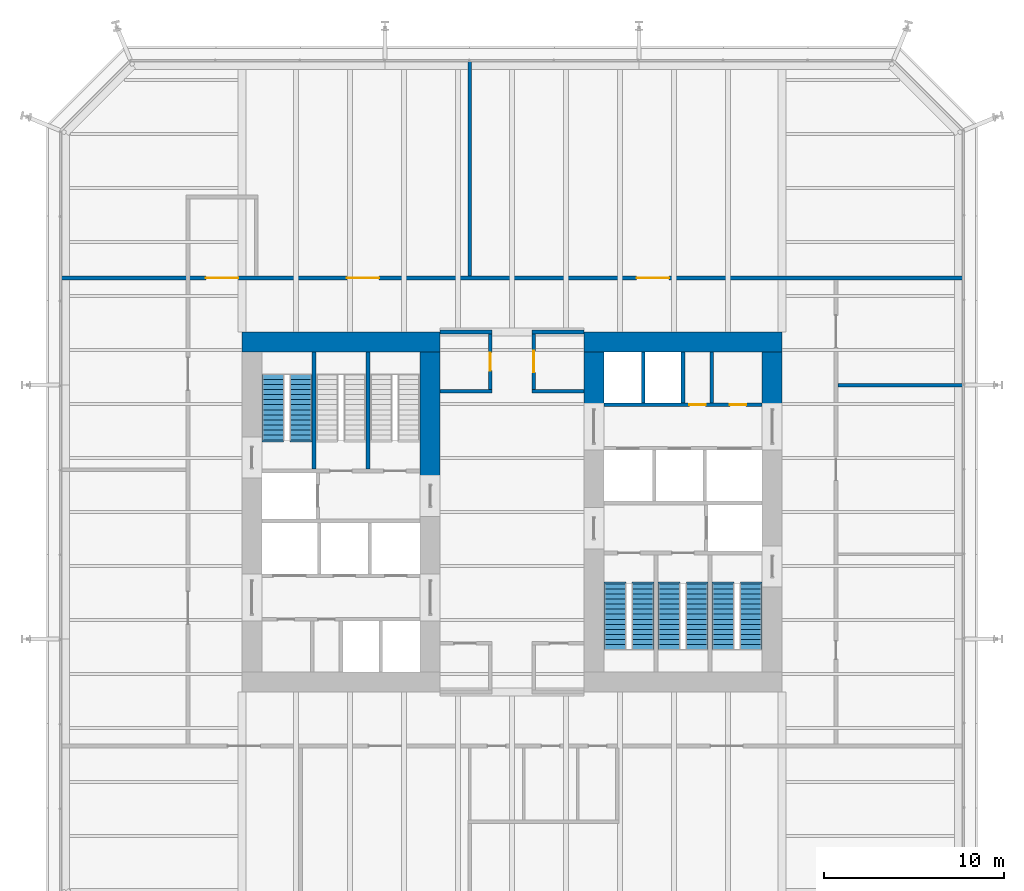
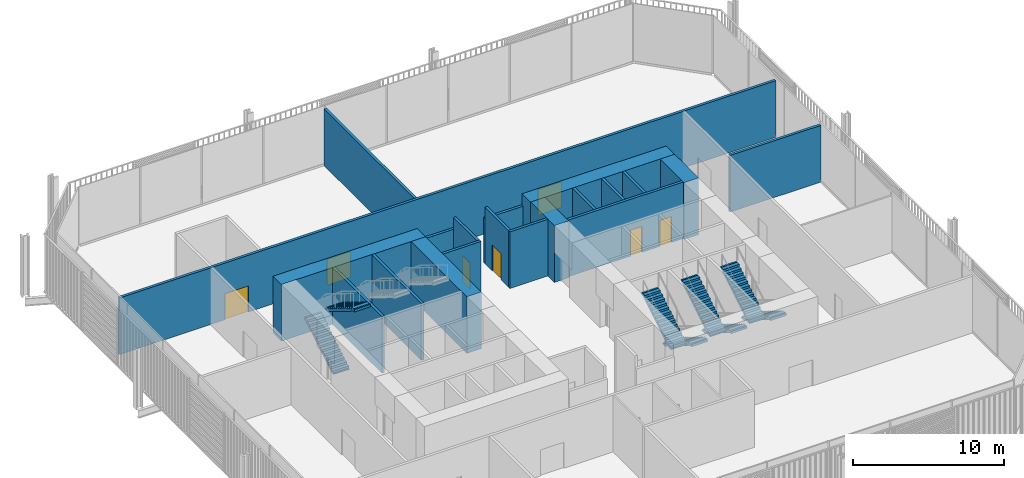
# One storey, part 20 of 22: 20 walls, 8 stair flights, 7 doors, 7 openings, 4 elements without a shape of their own.
"""IFC4 building model written with IfcOpenShell, lengths in metres."""

from ifc_helpers import new_model, si_unit, direction, frame, frame_2d, origin, place, context, subcontext, project, spatial, polyline, rectangle, outline, extrude, material, layer, layer_set, type_object, element, fill, aggregate, save


model = new_model("IFC4")

# Units and contexts
model_context = context("Model", 3, precision=1e-05, world=origin(), true_north=direction((0.0, 1.0)))
body_context = subcontext(model_context, "Body", "Model", "MODEL_VIEW")
ifc_project = project(units=[si_unit("LENGTHUNIT", "METRE"), si_unit("AREAUNIT", "SQUARE_METRE"), si_unit("VOLUMEUNIT", "CUBIC_METRE"), si_unit("PLANEANGLEUNIT", "RADIAN"), si_unit("MASSUNIT", "GRAM", prefix="KILO")], contexts=[model_context])

# Site, building, storey
site_placement = place(None, origin())
site = spatial("IfcSite", under=ifc_project, at=site_placement, CompositionType="ELEMENT")
building_placement = place(site_placement, origin())
building = spatial("IfcBuilding", under=site, at=building_placement, Name="Millrace Tower", CompositionType="ELEMENT")
storey_placement = place(building_placement, frame((0.0, 0.0, 25.699951171875)))
storey = spatial("IfcBuildingStorey", under=building, at=storey_placement, Name="L06", CompositionType="ELEMENT", Elevation=25.699951171875)

# Walls
ifc_material_1 = material(Name="Concrete C80", Category="concrete")
ifc_layer_1 = layer(ifc_material_1, 1.10009765625)
ifc_layer_set_1 = layer_set([ifc_layer_1], Name="Concrete C80")
wall_type_1 = type_object("IfcWallType", Name="Core wall 1100 Concrete C80", PredefinedType="SHEAR", material=ifc_layer_set_1)
wall_1_placement = place(storey_placement, frame((-15.0, 9.449951171875, 0.0), z_axis=(0.0, 0.0, 1.0), x_axis=(1.0, 0.0, 0.0)))
element("IfcWall", 1, at=wall_1_placement, inside=storey, type_object=wall_type_1, Name="Core wall W L06", PredefinedType="SHEAR", context=body_context, shape_type="SweptSolid", body=[
    extrude(rectangle(XDim=11.0, YDim=1.10009765625, at=frame_2d((5.5, 0.0))), origin(), (0.0, 0.0, 1.0), 4.574951171875),
])
wall_2_placement = place(storey_placement, frame((-4.550048828125, 1.550048828125, 0.0), z_axis=(0.0, 0.0, 1.0), x_axis=(0.0, 1.0, 0.0)))
element("IfcWall", 2, at=wall_2_placement, inside=storey, type_object=wall_type_1, Name="Core wall W L06", PredefinedType="SHEAR", context=body_context, shape_type="SweptSolid", body=[
    extrude(rectangle(XDim=7.349853515625, YDim=1.10009765625, at=frame_2d((3.6748046875, 0.0))), origin(), (0.0, 0.0, 1.0), 4.574951171875),
])
wall_3_placement = place(storey_placement, frame((15.0, 9.449951171875, 0.0), z_axis=(0.0, 0.0, 1.0), x_axis=(-1.0, 0.0, 0.0)))
element("IfcWall", 3, at=wall_3_placement, inside=storey, type_object=wall_type_1, Name="Core wall E L06", PredefinedType="SHEAR", context=body_context, shape_type="SweptSolid", body=[
    extrude(rectangle(XDim=11.0, YDim=1.10009765625, at=frame_2d((5.5, 0.0))), origin(), (0.0, 0.0, 1.0), 4.574951171875),
])
for number, where, z_axis, x_axis, name in (
    (4, (14.449951171875, 8.89990234375, 0.0), (0.0, 0.0, 1.0), (0.0, -1.0, 0.0), "Core wall E L06"),
    (5, (4.550048828125, 8.89990234375, 0.0), (0.0, 0.0, 1.0), (0.0, -1.0, 0.0), "Core wall E L06"),
):
    element("IfcWall", number, at=place(storey_placement, frame(where, z_axis=z_axis, x_axis=x_axis)), inside=storey, type_object=wall_type_1, Name=name, PredefinedType="SHEAR", context=body_context, shape_type="SweptSolid", body=[
        extrude(rectangle(XDim=3.14990234375, YDim=1.10009765625, at=frame_2d((1.574951171875, 0.0))), origin(), (0.0, 0.0, 1.0), 4.574951171875),
    ])
ifc_material_2 = material(Name="Masonry partition, fire-rated", Category="masonry")
ifc_layer_2 = layer(ifc_material_2, 0.199951171875)
ifc_layer_set_2 = layer_set([ifc_layer_2], Name="Masonry partition, fire-rated")
wall_type_2 = type_object("IfcWallType", Name="Corridor wall 200", PredefinedType="PARTITIONING", material=ifc_layer_set_2)
for number, where, z_axis, x_axis, name in (
    (6, (-4.0, 6.699951171875, 0.0), (0.0, 0.0, 1.0), (1.0, 0.0, 0.0), "Corridor wall L06"),
    (7, (1.10009765625, 6.699951171875, 0.0), (0.0, 0.0, 1.0), (1.0, 0.0, 0.0), "Corridor wall L06"),
):
    element("IfcWall", number, at=place(storey_placement, frame(where, z_axis=z_axis, x_axis=x_axis)), inside=storey, type_object=wall_type_2, Name=name, PredefinedType="PARTITIONING", context=body_context, shape_type="SweptSolid", body=[
        extrude(rectangle(XDim=2.89990234375, YDim=0.199951171875, at=frame_2d((1.449951171875, 0.0))), origin(), (0.0, 0.0, 1.0), 4.574951171875),
    ])
wall_4_placement = place(storey_placement, frame((18.10009765625, 7.050048828125, 0.0), z_axis=(0.0, 0.0, 1.0), x_axis=(1.0, 0.0, 0.0)))
element("IfcWall", 8, at=wall_4_placement, inside=storey, type_object=wall_type_2, Name="Corridor wall L06", PredefinedType="PARTITIONING", context=body_context, shape_type="SweptSolid", body=[
    extrude(rectangle(XDim=6.929931640625, YDim=0.199951171875, at=frame_2d((3.46484375, 0.0))), origin(), (0.0, 0.0, 1.0), 4.574951171875),
])
for number, where, z_axis, x_axis, name in (
    (9, (-4.0, 10.0, 0.0), (0.0, 0.0, 1.0), (1.0, 0.0, 0.0), "Corridor wall L06"),
    (10, (1.10009765625, 10.0, 0.0), (0.0, 0.0, 1.0), (1.0, 0.0, 0.0), "Corridor wall L06"),
):
    element("IfcWall", number, at=place(storey_placement, frame(where, z_axis=z_axis, x_axis=x_axis)), inside=storey, type_object=wall_type_2, Name=name, PredefinedType="PARTITIONING", context=body_context, shape_type="SweptSolid", body=[
        extrude(rectangle(XDim=2.89990234375, YDim=0.199951171875, at=frame_2d((1.449951171875, 0.0))), origin(), (0.0, 0.0, 1.0), 3.627685546875),
    ])

# Wall, openings, doors
wall_5_placement = place(storey_placement, frame((-25.030029296875, 13.0, 0.0), z_axis=(0.0, 0.0, 1.0), x_axis=(1.0, 0.0, 0.0)))
wall_5 = element("IfcWall", 11, at=wall_5_placement, inside=storey, type_object=wall_type_2, Name="Corridor wall L06", PredefinedType="PARTITIONING", context=body_context, shape_type="SweptSolid", body=[
    extrude(rectangle(XDim=50.06005859375, YDim=0.199951171875, at=frame_2d((25.030029296875, 0.0))), origin(), (0.0, 0.0, 1.0), 4.574951171875),
])
opening_1_placement = place(wall_5_placement, frame((15.85498046875, 0.0, 0.0)))
opening_1 = element("IfcOpeningElement", 12, at=opening_1_placement, cuts=wall_5, Name="Opening 06-P011", PredefinedType="OPENING", context=body_context, shape_type="SweptSolid", body=[
    extrude(rectangle(XDim=1.800048828125, YDim=2.10009765625, at=frame_2d((0.89990234375, 1.050048828125))), frame((0.0, 0.10986328125, 0.0), z_axis=(0.0, -1.0, 0.0), x_axis=(1.0, 0.0, 0.0)), (0.0, 0.0, 1.0), 0.219970703125),
])
opening_2_placement = place(wall_5_placement, frame((8.030029296875, 0.0, 0.0)))
opening_2 = element("IfcOpeningElement", 13, at=opening_2_placement, cuts=wall_5, Name="Opening 06-P012", PredefinedType="OPENING", context=body_context, shape_type="SweptSolid", body=[
    extrude(rectangle(XDim=1.800048828125, YDim=2.10009765625, at=frame_2d((0.89990234375, 1.050048828125))), frame((0.0, 0.10986328125, 0.0), z_axis=(0.0, -1.0, 0.0), x_axis=(1.0, 0.0, 0.0)), (0.0, 0.0, 1.0), 0.219970703125),
])
opening_3_placement = place(wall_5_placement, frame((31.9599609375, 0.0, 0.0)))
opening_3 = element("IfcOpeningElement", 14, at=opening_3_placement, cuts=wall_5, Name="Opening 06-P013", PredefinedType="OPENING", context=body_context, shape_type="SweptSolid", body=[
    extrude(rectangle(XDim=1.800048828125, YDim=2.10009765625, at=frame_2d((0.89990234375, 1.050048828125))), frame((0.0, 0.10986328125, 0.0), z_axis=(0.0, -1.0, 0.0), x_axis=(1.0, 0.0, 0.0)), (0.0, 0.0, 1.0), 0.219970703125),
])
ifc_material_3 = material(Name="Steel door set, fire-rated", Category="steel")
door_type_1 = type_object("IfcDoorType", Name="Data hall door 1800 x 2100", OperationType="DOUBLE_DOOR_SINGLE_SWING", PredefinedType="DOOR", material=ifc_material_3)
door_1_placement = place(opening_1_placement, origin())
door_1 = element("IfcDoor", 15, at=door_1_placement, inside=storey, type_object=door_type_1, Name="Door 06-P011", OperationType="DOUBLE_DOOR_SINGLE_SWING", OverallHeight=2.10009765625, OverallWidth=1.800048828125, PredefinedType="DOOR", context=body_context, shape_type="SweptSolid", body=[
    extrude(rectangle(XDim=1.800048828125, YDim=2.10009765625, at=frame_2d((0.89990234375, 1.050048828125))), frame((0.0, 0.02490234375, 0.0), z_axis=(0.0, -1.0, 0.0), x_axis=(1.0, 0.0, 0.0)), (0.0, 0.0, 1.0), 0.050048828125),
])
fill(opening_1, door_1)
door_2_placement = place(opening_2_placement, origin())
door_2 = element("IfcDoor", 16, at=door_2_placement, inside=storey, type_object=door_type_1, Name="Door 06-P012", OperationType="DOUBLE_DOOR_SINGLE_SWING", OverallHeight=2.10009765625, OverallWidth=1.800048828125, PredefinedType="DOOR", context=body_context, shape_type="SweptSolid", body=[
    extrude(rectangle(XDim=1.800048828125, YDim=2.10009765625, at=frame_2d((0.89990234375, 1.050048828125))), frame((0.0, 0.02490234375, 0.0), z_axis=(0.0, -1.0, 0.0), x_axis=(1.0, 0.0, 0.0)), (0.0, 0.0, 1.0), 0.050048828125),
])
fill(opening_2, door_2)
door_3_placement = place(opening_3_placement, origin())
door_3 = element("IfcDoor", 17, at=door_3_placement, inside=storey, type_object=door_type_1, Name="Door 06-P013", OperationType="DOUBLE_DOOR_SINGLE_SWING", OverallHeight=2.10009765625, OverallWidth=1.800048828125, PredefinedType="DOOR", context=body_context, shape_type="SweptSolid", body=[
    extrude(rectangle(XDim=1.800048828125, YDim=2.10009765625, at=frame_2d((0.89990234375, 1.050048828125))), frame((0.0, 0.02490234375, 0.0), z_axis=(0.0, -1.0, 0.0), x_axis=(1.0, 0.0, 0.0)), (0.0, 0.0, 1.0), 0.050048828125),
])
fill(opening_3, door_3)

# Wall, opening, door
wall_6_placement = place(storey_placement, frame((1.199951171875, 6.800048828125, 0.0), z_axis=(0.0, 0.0, 1.0), x_axis=(0.0, 1.0, 0.0)))
wall_6 = element("IfcWall", 18, at=wall_6_placement, inside=storey, type_object=wall_type_2, Name="Corridor wall L06", PredefinedType="PARTITIONING", context=body_context, shape_type="SweptSolid", body=[
    extrude(rectangle(XDim=3.099853515625, YDim=0.199951171875, at=frame_2d((1.5498046875, 0.0))), origin(), (0.0, 0.0, 1.0), 4.574951171875),
])
opening_4_placement = place(wall_6_placement, frame((0.949951171875, 0.0, 0.0)))
opening_4 = element("IfcOpeningElement", 19, at=opening_4_placement, cuts=wall_6, Name="Opening 06-P002", PredefinedType="OPENING", context=body_context, shape_type="SweptSolid", body=[
    extrude(rectangle(XDim=1.199951171875, YDim=2.10009765625, at=frame_2d((0.60009765625, 1.050048828125))), frame((0.0, 0.10986328125, 0.0), z_axis=(0.0, -1.0, 0.0), x_axis=(1.0, 0.0, 0.0)), (0.0, 0.0, 1.0), 0.219970703125),
])
ifc_material_4 = material(Name="Steel door set, fire-rated", Category="steel")
door_type_2 = type_object("IfcDoorType", Name="Corridor door 1200 x 2100", OperationType="SINGLE_SWING_LEFT", PredefinedType="DOOR", material=ifc_material_4)
door_4_placement = place(opening_4_placement, frame((1.199951171875, 0.0, 0.0), z_axis=(0.0, 0.0, 1.0), x_axis=(-1.0, 0.0, 0.0)))
door_4 = element("IfcDoor", 20, at=door_4_placement, inside=storey, type_object=door_type_2, Name="Door 06-P002", OperationType="SINGLE_SWING_RIGHT", OverallHeight=2.10009765625, OverallWidth=1.199951171875, PredefinedType="DOOR", context=body_context, shape_type="SweptSolid", body=[
    extrude(rectangle(XDim=1.199951171875, YDim=2.10009765625, at=frame_2d((0.60009765625, 1.050048828125))), frame((0.0, 0.02490234375, 0.0), z_axis=(0.0, -1.0, 0.0), x_axis=(1.0, 0.0, 0.0)), (0.0, 0.0, 1.0), 0.050048828125),
])
fill(opening_4, door_4)

wall_7_placement = place(storey_placement, frame((-1.199951171875, 6.800048828125, 0.0), z_axis=(0.0, 0.0, 1.0), x_axis=(0.0, 1.0, 0.0)))
wall_7 = element("IfcWall", 21, at=wall_7_placement, inside=storey, type_object=wall_type_2, Name="Corridor wall L06", PredefinedType="PARTITIONING", context=body_context, shape_type="SweptSolid", body=[
    extrude(rectangle(XDim=3.099853515625, YDim=0.199951171875, at=frame_2d((1.5498046875, 0.0))), origin(), (0.0, 0.0, 1.0), 4.574951171875),
])
opening_5_placement = place(wall_7_placement, frame((1.050048828125, 0.0, 0.0)))
opening_5 = element("IfcOpeningElement", 22, at=opening_5_placement, cuts=wall_7, Name="Opening 06-P001", PredefinedType="OPENING", context=body_context, shape_type="SweptSolid", body=[
    extrude(rectangle(XDim=1.0, YDim=2.10009765625, at=frame_2d((0.5, 1.050048828125))), frame((0.0, 0.10986328125, 0.0), z_axis=(0.0, -1.0, 0.0), x_axis=(1.0, 0.0, 0.0)), (0.0, 0.0, 1.0), 0.219970703125),
])
ifc_material_5 = material(Name="Steel door set, fire-rated", Category="steel")
door_type_3 = type_object("IfcDoorType", Name="Corridor door 1000 x 2100", OperationType="SINGLE_SWING_LEFT", PredefinedType="DOOR", material=ifc_material_5)
door_5_placement = place(opening_5_placement, origin())
door_5 = element("IfcDoor", 23, at=door_5_placement, inside=storey, type_object=door_type_3, Name="Door 06-P001", OperationType="SINGLE_SWING_LEFT", OverallHeight=2.10009765625, OverallWidth=1.0, PredefinedType="DOOR", context=body_context, shape_type="SweptSolid", body=[
    extrude(rectangle(XDim=1.0, YDim=2.10009765625, at=frame_2d((0.5, 1.050048828125))), frame((0.0, 0.02490234375, 0.0), z_axis=(0.0, -1.0, 0.0), x_axis=(1.0, 0.0, 0.0)), (0.0, 0.0, 1.0), 0.050048828125),
])
fill(opening_5, door_5)

# Wall
wall_8_placement = place(storey_placement, frame((-2.35009765625, 13.10009765625, 0.0), z_axis=(0.0, 0.0, 1.0), x_axis=(0.0, 1.0, 0.0)))
element("IfcWall", 24, at=wall_8_placement, inside=storey, type_object=wall_type_2, Name="Corridor wall L06", PredefinedType="PARTITIONING", context=body_context, shape_type="SweptSolid", body=[
    extrude(rectangle(XDim=11.929931640625, YDim=0.199951171875, at=frame_2d((5.96484375, 0.0))), origin(), (0.0, 0.0, 1.0), 4.574951171875),
])

# Wall, openings, doors
ifc_material_6 = material(Name="Masonry partition, fire-rated", Category="masonry")
ifc_layer_3 = layer(ifc_material_6, 0.199951171875)
ifc_layer_set_3 = layer_set([ifc_layer_3], Name="Masonry partition, fire-rated")
wall_type_3 = type_object("IfcWallType", Name="Lift shaft wall 200", PredefinedType="PARTITIONING", material=ifc_layer_set_3)
wall_9_placement = place(storey_placement, frame((13.89990234375, 5.949951171875, 0.0), z_axis=(0.0, 0.0, 1.0), x_axis=(-1.0, 0.0, 0.0)))
wall_9 = element("IfcWall", 25, at=wall_9_placement, inside=storey, type_object=wall_type_3, Name="Lift shaft wall E L06", PredefinedType="PARTITIONING", context=body_context, shape_type="SweptSolid", body=[
    extrude(rectangle(XDim=8.7998046875, YDim=0.199951171875, at=frame_2d((4.39990234375, 0.0))), origin(), (0.0, 0.0, 1.0), 4.574951171875),
])
opening_6_placement = place(wall_9_placement, frame((0.8974609375, 0.0, 0.0)))
opening_6 = element("IfcOpeningElement", 26, at=opening_6_placement, cuts=wall_9, Name="Opening 06-C013", PredefinedType="OPENING", context=body_context, shape_type="SweptSolid", body=[
    extrude(rectangle(XDim=0.89990234375, YDim=2.10009765625, at=frame_2d((0.449951171875, 1.050048828125))), frame((0.0, 0.10986328125, 0.0), z_axis=(0.0, -1.0, 0.0), x_axis=(1.0, 0.0, 0.0)), (0.0, 0.0, 1.0), 0.219970703125),
])
opening_7_placement = place(wall_9_placement, frame((3.1474609375, 0.0, 0.0)))
opening_7 = element("IfcOpeningElement", 27, at=opening_7_placement, cuts=wall_9, Name="Opening 06-C014", PredefinedType="OPENING", context=body_context, shape_type="SweptSolid", body=[
    extrude(rectangle(XDim=0.89990234375, YDim=2.10009765625, at=frame_2d((0.449951171875, 1.050048828125))), frame((0.0, 0.10986328125, 0.0), z_axis=(0.0, -1.0, 0.0), x_axis=(1.0, 0.0, 0.0)), (0.0, 0.0, 1.0), 0.219970703125),
])
ifc_material_7 = material(Name="Steel door, fire-rated", Category="steel")
door_type_4 = type_object("IfcDoorType", Name="Service room door 900 x 2100", OperationType="SINGLE_SWING_LEFT", PredefinedType="DOOR", material=ifc_material_7)
door_6_placement = place(opening_6_placement, frame((0.89990234375, 0.0, 0.0), z_axis=(0.0, 0.0, 1.0), x_axis=(-1.0, 0.0, 0.0)))
door_6 = element("IfcDoor", 28, at=door_6_placement, inside=storey, type_object=door_type_4, Name="Service room door 06-C013", OperationType="SINGLE_SWING_RIGHT", OverallHeight=2.10009765625, OverallWidth=0.89990234375, PredefinedType="DOOR", context=body_context, shape_type="SweptSolid", body=[
    extrude(rectangle(XDim=0.89990234375, YDim=2.10009765625, at=frame_2d((0.449951171875, 1.050048828125))), frame((0.0, 0.02490234375, 0.0), z_axis=(0.0, -1.0, 0.0), x_axis=(1.0, 0.0, 0.0)), (0.0, 0.0, 1.0), 0.050048828125),
])
fill(opening_6, door_6)
door_7_placement = place(opening_7_placement, frame((0.89990234375, 0.0, 0.0), z_axis=(0.0, 0.0, 1.0), x_axis=(-1.0, 0.0, 0.0)))
door_7 = element("IfcDoor", 29, at=door_7_placement, inside=storey, type_object=door_type_4, Name="Service room door 06-C014", OperationType="SINGLE_SWING_RIGHT", OverallHeight=2.10009765625, OverallWidth=0.89990234375, PredefinedType="DOOR", context=body_context, shape_type="SweptSolid", body=[
    extrude(rectangle(XDim=0.89990234375, YDim=2.10009765625, at=frame_2d((0.449951171875, 1.050048828125))), frame((0.0, 0.02490234375, 0.0), z_axis=(0.0, -1.0, 0.0), x_axis=(1.0, 0.0, 0.0)), (0.0, 0.0, 1.0), 0.050048828125),
])
fill(opening_7, door_7)

# Walls
for number, where, z_axis, x_axis, name in (
    (30, (9.5, 8.89990234375, 0.0), (0.0, 0.0, 1.0), (0.0, -1.0, 0.0), "Lift shaft wall E L06"),
    (31, (7.300048828125, 8.89990234375, 0.0), (0.0, 0.0, 1.0), (0.0, -1.0, 0.0), "Lift shaft wall E L06"),
):
    element("IfcWall", number, at=place(storey_placement, frame(where, z_axis=z_axis, x_axis=x_axis)), inside=storey, type_object=wall_type_3, Name=name, PredefinedType="PARTITIONING", context=body_context, shape_type="SweptSolid", body=[
        extrude(rectangle(XDim=2.849853515625, YDim=0.199951171875, at=frame_2d((1.4248046875, 0.0))), origin(), (0.0, 0.0, 1.0), 4.574951171875),
    ])
ifc_material_8 = material(Name="Masonry partition, fire-rated", Category="masonry")
ifc_layer_4 = layer(ifc_material_8, 0.199951171875)
ifc_layer_set_4 = layer_set([ifc_layer_4], Name="Masonry partition, fire-rated")
wall_type_4 = type_object("IfcWallType", Name="Room partition 200", PredefinedType="PARTITIONING", material=ifc_layer_set_4)
wall_10_placement = place(storey_placement, frame((11.10498046875, 8.89990234375, 0.0), z_axis=(0.0, 0.0, 1.0), x_axis=(0.0, -1.0, 0.0)))
element("IfcWall", 32, at=wall_10_placement, inside=storey, type_object=wall_type_4, Name="Room partition E L06", PredefinedType="PARTITIONING", context=body_context, shape_type="SweptSolid", body=[
    extrude(rectangle(XDim=2.849853515625, YDim=0.199951171875, at=frame_2d((1.4248046875, 0.0))), origin(), (0.0, 0.0, 1.0), 4.574951171875),
])
ifc_material_9 = material(Name="Concrete C40", Category="concrete")
ifc_layer_5 = layer(ifc_material_9, 0.199951171875)
ifc_layer_set_5 = layer_set([ifc_layer_5], Name="Concrete C40")
wall_type_5 = type_object("IfcWallType", Name="Stair enclosure wall 200 Concrete C40", PredefinedType="SHEAR", material=ifc_layer_set_5)
for number, where, z_axis, x_axis, name in (
    (33, (-11.0, 2.3798828125, 0.0), (0.0, 0.0, 1.0), (0.0, 1.0, 0.0), "Stair enclosure wall W L06"),
    (34, (-8.0, 2.3798828125, 0.0), (0.0, 0.0, 1.0), (0.0, 1.0, 0.0), "Stair enclosure wall W L06"),
):
    element("IfcWall", number, at=place(storey_placement, frame(where, z_axis=z_axis, x_axis=x_axis)), inside=storey, type_object=wall_type_5, Name=name, PredefinedType="SHEAR", context=body_context, shape_type="SweptSolid", body=[
        extrude(rectangle(XDim=6.52001953125, YDim=0.199951171875, at=frame_2d((3.260009765625, 0.0))), origin(), (0.0, 0.0, 1.0), 4.574951171875),
    ])

# Stair, stair flights
ifc_material_10 = material(Name="Concrete C35", Category="concrete")
stair_type = type_object("IfcStairType", Name="Exit stair", PredefinedType="HALF_TURN_STAIR", material=ifc_material_10)
placement = place(storey_placement, origin())
stair_1 = element("IfcStair", 35, at=placement, inside=storey, type_object=stair_type, Name="Stair 1 W L06", PredefinedType="HALF_TURN_STAIR")
ifc_material_11 = material(Name="Concrete C35", Category="concrete")
stair_flight_type = type_object("IfcStairFlightType", Name="Exit stair flight", PredefinedType="STRAIGHT", material=ifc_material_11)
stair_flight_1_placement = place(storey_placement, frame((-13.2900390625, 4.0, 0.0), z_axis=(0.0, 0.0, 1.0), x_axis=(0.0, 1.0, 0.0)))
stair_flight_1 = element("IfcStairFlight", 36, at=stair_flight_1_placement, type_object=stair_flight_type, Name="ST12 flight 1", NumberOfRisers=14, NumberOfTreads=13, PredefinedType="STRAIGHT", RiserHeight=0.171428571, TreadLength=0.28, context=body_context, shape_type="SweptSolid", body=[
    extrude(outline(polyline([(-0.1201171875, -0.0400390625), (-0.1201171875, 0.0), (0.0, 0.0), (0.0, 0.17138671875), (0.280029296875, 0.17138671875), (0.280029296875, 0.3427734375), (0.56005859375, 0.3427734375), (0.56005859375, 0.514404296875), (0.840087890625, 0.514404296875), (0.840087890625, 0.685791015625), (1.1201171875, 0.685791015625), (1.1201171875, 0.857177734375), (1.39990234375, 0.857177734375), (1.39990234375, 1.028564453125), (1.679931640625, 1.028564453125), (1.679931640625, 1.199951171875), (1.9599609375, 1.199951171875), (1.9599609375, 1.371337890625), (2.239990234375, 1.371337890625), (2.239990234375, 1.54296875), (2.52001953125, 1.54296875), (2.52001953125, 1.71435546875), (2.800048828125, 1.71435546875), (2.800048828125, 1.8857421875), (3.080078125, 1.8857421875), (3.080078125, 2.05712890625), (3.360107421875, 2.05712890625), (3.360107421875, 2.228515625), (3.639892578125, 2.228515625), (3.639892578125, 2.24853515625), (3.760009765625, 2.24853515625), (3.760009765625, 2.052734375), (3.639892578125, 2.052734375), (0.287109375, 0.0), (0.287109375, -0.0400390625), (-0.1201171875, -0.0400390625)])), frame((0.0, 0.60986328125, 0.0), z_axis=(0.0, -1.0, 0.0), x_axis=(1.0, 0.0, 0.0)), (0.0, 0.0, 1.0), 1.219970703125),
])
stair_flight_2_placement = place(storey_placement, frame((-11.7099609375, 7.639892578125, 2.400146484375), z_axis=(0.0, 0.0, 1.0), x_axis=(0.0, -1.0, 0.0)))
stair_flight_2 = element("IfcStairFlight", 37, at=stair_flight_2_placement, type_object=stair_flight_type, Name="ST12 flight 2", NumberOfRisers=14, NumberOfTreads=13, PredefinedType="STRAIGHT", RiserHeight=0.171428571, TreadLength=0.28, context=body_context, shape_type="SweptSolid", body=[
    extrude(outline(polyline([(-0.1201171875, -0.0400390625), (-0.1201171875, 0.0), (0.0, 0.0), (0.0, 0.17138671875), (0.280029296875, 0.17138671875), (0.280029296875, 0.3427734375), (0.56005859375, 0.3427734375), (0.56005859375, 0.514404296875), (0.840087890625, 0.514404296875), (0.840087890625, 0.685791015625), (1.1201171875, 0.685791015625), (1.1201171875, 0.857177734375), (1.39990234375, 0.857177734375), (1.39990234375, 1.028564453125), (1.679931640625, 1.028564453125), (1.679931640625, 1.199951171875), (1.9599609375, 1.199951171875), (1.9599609375, 1.371337890625), (2.239990234375, 1.371337890625), (2.239990234375, 1.54296875), (2.52001953125, 1.54296875), (2.52001953125, 1.71435546875), (2.800048828125, 1.71435546875), (2.800048828125, 1.8857421875), (3.080078125, 1.8857421875), (3.080078125, 2.05712890625), (3.360107421875, 2.05712890625), (3.360107421875, 2.228515625), (3.639892578125, 2.228515625), (3.639892578125, 2.24853515625), (3.760009765625, 2.24853515625), (3.760009765625, 2.052734375), (3.639892578125, 2.052734375), (0.287109375, 0.0), (0.287109375, -0.0400390625), (-0.1201171875, -0.0400390625)])), frame((0.0, 0.60986328125, 0.0), z_axis=(0.0, -1.0, 0.0), x_axis=(1.0, 0.0, 0.0)), (0.0, 0.0, 1.0), 1.219970703125),
])
aggregate(stair_1, [stair_flight_1, stair_flight_2])

stair_2 = element("IfcStair", 38, at=placement, inside=storey, type_object=stair_type, Name="Stair 1 E L06", PredefinedType="HALF_TURN_STAIR")
stair_flight_3_placement = place(storey_placement, frame((13.2900390625, -4.0, 0.0), z_axis=(0.0, 0.0, 1.0), x_axis=(0.0, -1.0, 0.0)))
stair_flight_3 = element("IfcStairFlight", 39, at=stair_flight_3_placement, type_object=stair_flight_type, Name="ST12 flight 1", NumberOfRisers=14, NumberOfTreads=13, PredefinedType="STRAIGHT", RiserHeight=0.171428571, TreadLength=0.28, context=body_context, shape_type="SweptSolid", body=[
    extrude(outline(polyline([(-0.1201171875, -0.0400390625), (-0.1201171875, 0.0), (0.0, 0.0), (0.0, 0.17138671875), (0.280029296875, 0.17138671875), (0.280029296875, 0.3427734375), (0.56005859375, 0.3427734375), (0.56005859375, 0.514404296875), (0.840087890625, 0.514404296875), (0.840087890625, 0.685791015625), (1.1201171875, 0.685791015625), (1.1201171875, 0.857177734375), (1.39990234375, 0.857177734375), (1.39990234375, 1.028564453125), (1.679931640625, 1.028564453125), (1.679931640625, 1.199951171875), (1.9599609375, 1.199951171875), (1.9599609375, 1.371337890625), (2.239990234375, 1.371337890625), (2.239990234375, 1.54296875), (2.52001953125, 1.54296875), (2.52001953125, 1.71435546875), (2.800048828125, 1.71435546875), (2.800048828125, 1.8857421875), (3.080078125, 1.8857421875), (3.080078125, 2.05712890625), (3.360107421875, 2.05712890625), (3.360107421875, 2.228515625), (3.639892578125, 2.228515625), (3.639892578125, 2.24853515625), (3.760009765625, 2.24853515625), (3.760009765625, 2.052734375), (3.639892578125, 2.052734375), (0.287109375, 0.0), (0.287109375, -0.0400390625), (-0.1201171875, -0.0400390625)])), frame((0.0, 0.60986328125, 0.0), z_axis=(0.0, -1.0, 0.0), x_axis=(1.0, 0.0, 0.0)), (0.0, 0.0, 1.0), 1.219970703125),
])
stair_flight_4_placement = place(storey_placement, frame((11.7099609375, -7.639892578125, 2.400146484375), z_axis=(0.0, 0.0, 1.0), x_axis=(0.0, 1.0, 0.0)))
stair_flight_4 = element("IfcStairFlight", 40, at=stair_flight_4_placement, type_object=stair_flight_type, Name="ST12 flight 2", NumberOfRisers=14, NumberOfTreads=13, PredefinedType="STRAIGHT", RiserHeight=0.171428571, TreadLength=0.28, context=body_context, shape_type="SweptSolid", body=[
    extrude(outline(polyline([(-0.1201171875, -0.0400390625), (-0.1201171875, 0.0), (0.0, 0.0), (0.0, 0.17138671875), (0.280029296875, 0.17138671875), (0.280029296875, 0.3427734375), (0.56005859375, 0.3427734375), (0.56005859375, 0.514404296875), (0.840087890625, 0.514404296875), (0.840087890625, 0.685791015625), (1.1201171875, 0.685791015625), (1.1201171875, 0.857177734375), (1.39990234375, 0.857177734375), (1.39990234375, 1.028564453125), (1.679931640625, 1.028564453125), (1.679931640625, 1.199951171875), (1.9599609375, 1.199951171875), (1.9599609375, 1.371337890625), (2.239990234375, 1.371337890625), (2.239990234375, 1.54296875), (2.52001953125, 1.54296875), (2.52001953125, 1.71435546875), (2.800048828125, 1.71435546875), (2.800048828125, 1.8857421875), (3.080078125, 1.8857421875), (3.080078125, 2.05712890625), (3.360107421875, 2.05712890625), (3.360107421875, 2.228515625), (3.639892578125, 2.228515625), (3.639892578125, 2.24853515625), (3.760009765625, 2.24853515625), (3.760009765625, 2.052734375), (3.639892578125, 2.052734375), (0.287109375, 0.0), (0.287109375, -0.0400390625), (-0.1201171875, -0.0400390625)])), frame((0.0, 0.60986328125, 0.0), z_axis=(0.0, -1.0, 0.0), x_axis=(1.0, 0.0, 0.0)), (0.0, 0.0, 1.0), 1.219970703125),
])
aggregate(stair_2, [stair_flight_3, stair_flight_4])

stair_3 = element("IfcStair", 41, at=placement, inside=storey, type_object=stair_type, Name="Stair 2 E L06", PredefinedType="HALF_TURN_STAIR")
stair_flight_5_placement = place(storey_placement, frame((10.2900390625, -4.0, 0.0), z_axis=(0.0, 0.0, 1.0), x_axis=(0.0, -1.0, 0.0)))
stair_flight_5 = element("IfcStairFlight", 42, at=stair_flight_5_placement, type_object=stair_flight_type, Name="ST12 flight 1", NumberOfRisers=14, NumberOfTreads=13, PredefinedType="STRAIGHT", RiserHeight=0.171428571, TreadLength=0.28, context=body_context, shape_type="SweptSolid", body=[
    extrude(outline(polyline([(-0.1201171875, -0.0400390625), (-0.1201171875, 0.0), (0.0, 0.0), (0.0, 0.17138671875), (0.280029296875, 0.17138671875), (0.280029296875, 0.3427734375), (0.56005859375, 0.3427734375), (0.56005859375, 0.514404296875), (0.840087890625, 0.514404296875), (0.840087890625, 0.685791015625), (1.1201171875, 0.685791015625), (1.1201171875, 0.857177734375), (1.39990234375, 0.857177734375), (1.39990234375, 1.028564453125), (1.679931640625, 1.028564453125), (1.679931640625, 1.199951171875), (1.9599609375, 1.199951171875), (1.9599609375, 1.371337890625), (2.239990234375, 1.371337890625), (2.239990234375, 1.54296875), (2.52001953125, 1.54296875), (2.52001953125, 1.71435546875), (2.800048828125, 1.71435546875), (2.800048828125, 1.8857421875), (3.080078125, 1.8857421875), (3.080078125, 2.05712890625), (3.360107421875, 2.05712890625), (3.360107421875, 2.228515625), (3.639892578125, 2.228515625), (3.639892578125, 2.24853515625), (3.760009765625, 2.24853515625), (3.760009765625, 2.052734375), (3.639892578125, 2.052734375), (0.287109375, 0.0), (0.287109375, -0.0400390625), (-0.1201171875, -0.0400390625)])), frame((0.0, 0.60986328125, 0.0), z_axis=(0.0, -1.0, 0.0), x_axis=(1.0, 0.0, 0.0)), (0.0, 0.0, 1.0), 1.219970703125),
])
stair_flight_6_placement = place(storey_placement, frame((8.7099609375, -7.639892578125, 2.400146484375), z_axis=(0.0, 0.0, 1.0), x_axis=(0.0, 1.0, 0.0)))
stair_flight_6 = element("IfcStairFlight", 43, at=stair_flight_6_placement, type_object=stair_flight_type, Name="ST12 flight 2", NumberOfRisers=14, NumberOfTreads=13, PredefinedType="STRAIGHT", RiserHeight=0.171428571, TreadLength=0.28, context=body_context, shape_type="SweptSolid", body=[
    extrude(outline(polyline([(-0.1201171875, -0.0400390625), (-0.1201171875, 0.0), (0.0, 0.0), (0.0, 0.17138671875), (0.280029296875, 0.17138671875), (0.280029296875, 0.3427734375), (0.56005859375, 0.3427734375), (0.56005859375, 0.514404296875), (0.840087890625, 0.514404296875), (0.840087890625, 0.685791015625), (1.1201171875, 0.685791015625), (1.1201171875, 0.857177734375), (1.39990234375, 0.857177734375), (1.39990234375, 1.028564453125), (1.679931640625, 1.028564453125), (1.679931640625, 1.199951171875), (1.9599609375, 1.199951171875), (1.9599609375, 1.371337890625), (2.239990234375, 1.371337890625), (2.239990234375, 1.54296875), (2.52001953125, 1.54296875), (2.52001953125, 1.71435546875), (2.800048828125, 1.71435546875), (2.800048828125, 1.8857421875), (3.080078125, 1.8857421875), (3.080078125, 2.05712890625), (3.360107421875, 2.05712890625), (3.360107421875, 2.228515625), (3.639892578125, 2.228515625), (3.639892578125, 2.24853515625), (3.760009765625, 2.24853515625), (3.760009765625, 2.052734375), (3.639892578125, 2.052734375), (0.287109375, 0.0), (0.287109375, -0.0400390625), (-0.1201171875, -0.0400390625)])), frame((0.0, 0.60986328125, 0.0), z_axis=(0.0, -1.0, 0.0), x_axis=(1.0, 0.0, 0.0)), (0.0, 0.0, 1.0), 1.219970703125),
])
aggregate(stair_3, [stair_flight_5, stair_flight_6])

stair_4 = element("IfcStair", 44, at=placement, inside=storey, type_object=stair_type, Name="Stair 3 E L06", PredefinedType="HALF_TURN_STAIR")
stair_flight_7_placement = place(storey_placement, frame((7.2900390625, -4.0, 0.0), z_axis=(0.0, 0.0, 1.0), x_axis=(0.0, -1.0, 0.0)))
stair_flight_7 = element("IfcStairFlight", 45, at=stair_flight_7_placement, type_object=stair_flight_type, Name="ST12 flight 1", NumberOfRisers=14, NumberOfTreads=13, PredefinedType="STRAIGHT", RiserHeight=0.171428571, TreadLength=0.28, context=body_context, shape_type="SweptSolid", body=[
    extrude(outline(polyline([(-0.1201171875, -0.0400390625), (-0.1201171875, 0.0), (0.0, 0.0), (0.0, 0.17138671875), (0.280029296875, 0.17138671875), (0.280029296875, 0.3427734375), (0.56005859375, 0.3427734375), (0.56005859375, 0.514404296875), (0.840087890625, 0.514404296875), (0.840087890625, 0.685791015625), (1.1201171875, 0.685791015625), (1.1201171875, 0.857177734375), (1.39990234375, 0.857177734375), (1.39990234375, 1.028564453125), (1.679931640625, 1.028564453125), (1.679931640625, 1.199951171875), (1.9599609375, 1.199951171875), (1.9599609375, 1.371337890625), (2.239990234375, 1.371337890625), (2.239990234375, 1.54296875), (2.52001953125, 1.54296875), (2.52001953125, 1.71435546875), (2.800048828125, 1.71435546875), (2.800048828125, 1.8857421875), (3.080078125, 1.8857421875), (3.080078125, 2.05712890625), (3.360107421875, 2.05712890625), (3.360107421875, 2.228515625), (3.639892578125, 2.228515625), (3.639892578125, 2.24853515625), (3.760009765625, 2.24853515625), (3.760009765625, 2.052734375), (3.639892578125, 2.052734375), (0.287109375, 0.0), (0.287109375, -0.0400390625), (-0.1201171875, -0.0400390625)])), frame((0.0, 0.60986328125, 0.0), z_axis=(0.0, -1.0, 0.0), x_axis=(1.0, 0.0, 0.0)), (0.0, 0.0, 1.0), 1.219970703125),
])
stair_flight_8_placement = place(storey_placement, frame((5.7099609375, -7.639892578125, 2.400146484375), z_axis=(0.0, 0.0, 1.0), x_axis=(0.0, 1.0, 0.0)))
stair_flight_8 = element("IfcStairFlight", 46, at=stair_flight_8_placement, type_object=stair_flight_type, Name="ST12 flight 2", NumberOfRisers=14, NumberOfTreads=13, PredefinedType="STRAIGHT", RiserHeight=0.171428571, TreadLength=0.28, context=body_context, shape_type="SweptSolid", body=[
    extrude(outline(polyline([(-0.1201171875, -0.0400390625), (-0.1201171875, 0.0), (0.0, 0.0), (0.0, 0.17138671875), (0.280029296875, 0.17138671875), (0.280029296875, 0.3427734375), (0.56005859375, 0.3427734375), (0.56005859375, 0.514404296875), (0.840087890625, 0.514404296875), (0.840087890625, 0.685791015625), (1.1201171875, 0.685791015625), (1.1201171875, 0.857177734375), (1.39990234375, 0.857177734375), (1.39990234375, 1.028564453125), (1.679931640625, 1.028564453125), (1.679931640625, 1.199951171875), (1.9599609375, 1.199951171875), (1.9599609375, 1.371337890625), (2.239990234375, 1.371337890625), (2.239990234375, 1.54296875), (2.52001953125, 1.54296875), (2.52001953125, 1.71435546875), (2.800048828125, 1.71435546875), (2.800048828125, 1.8857421875), (3.080078125, 1.8857421875), (3.080078125, 2.05712890625), (3.360107421875, 2.05712890625), (3.360107421875, 2.228515625), (3.639892578125, 2.228515625), (3.639892578125, 2.24853515625), (3.760009765625, 2.24853515625), (3.760009765625, 2.052734375), (3.639892578125, 2.052734375), (0.287109375, 0.0), (0.287109375, -0.0400390625), (-0.1201171875, -0.0400390625)])), frame((0.0, 0.60986328125, 0.0), z_axis=(0.0, -1.0, 0.0), x_axis=(1.0, 0.0, 0.0)), (0.0, 0.0, 1.0), 1.219970703125),
])
aggregate(stair_4, [stair_flight_7, stair_flight_8])

save(model, "model.ifc")
